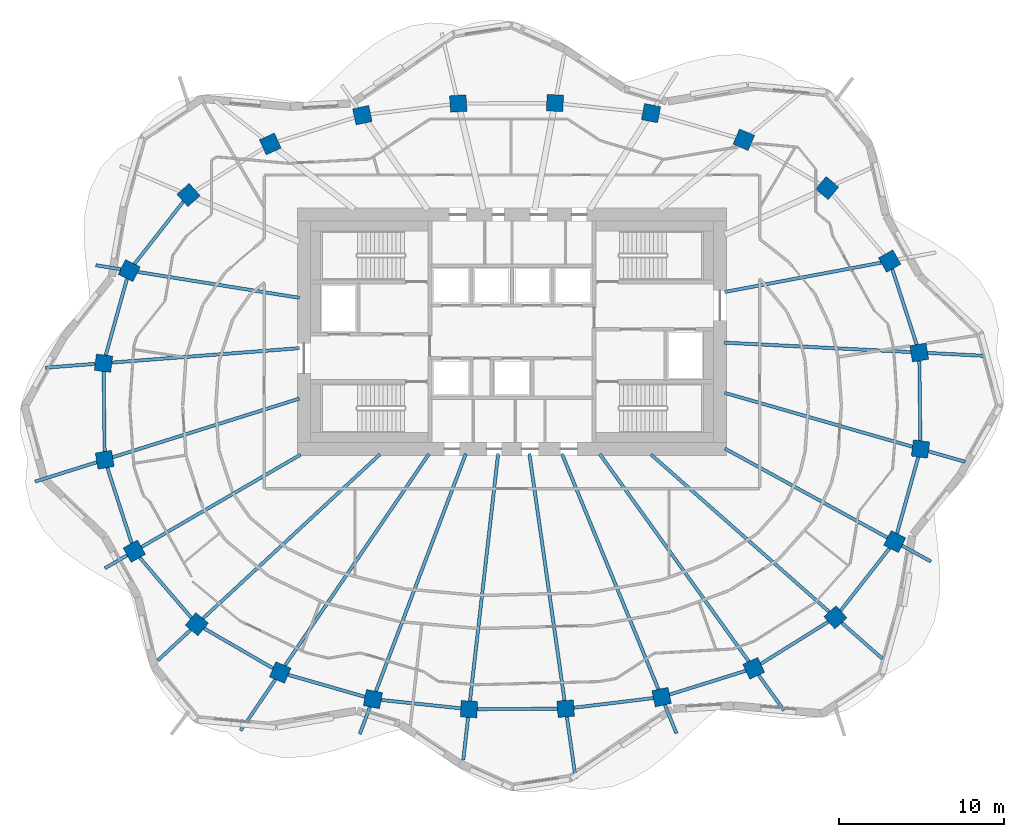
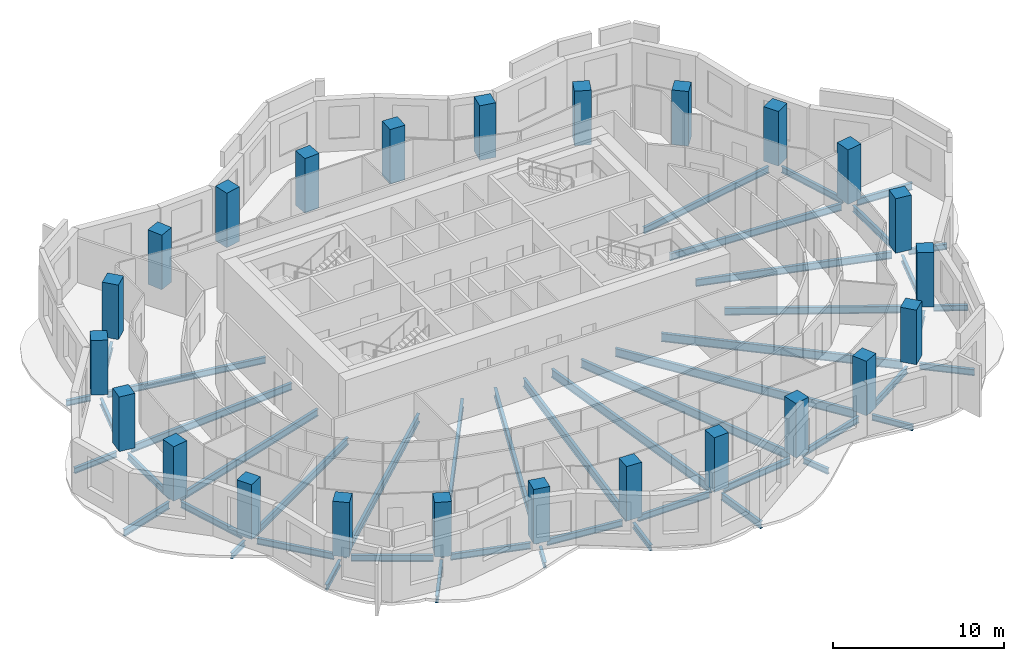
# One storey, part 1 of 10: 47 beams, 24 columns.
"""IFC4 building model written with IfcOpenShell, lengths in metres."""

from ifc_helpers import new_model, si_unit, direction, frame, origin, origin_2d, place, context, subcontext, project, spatial, rectangle, i_section, extrude, material, material_profile, profile_set, type_object, element, save


model = new_model("IFC4")

# Units and contexts
model_context = context("Model", 3, precision=1e-05, world=origin(), true_north=direction((0.0, 1.0)))
body_context = subcontext(model_context, "Body", "Model", "MODEL_VIEW")
ifc_project = project(units=[si_unit("LENGTHUNIT", "METRE"), si_unit("AREAUNIT", "SQUARE_METRE"), si_unit("VOLUMEUNIT", "CUBIC_METRE"), si_unit("PLANEANGLEUNIT", "RADIAN"), si_unit("MASSUNIT", "GRAM", prefix="KILO")], contexts=[model_context])

# Site, building, storey
site_placement = place(None, origin())
site = spatial("IfcSite", under=ifc_project, at=site_placement, CompositionType="ELEMENT")
building_placement = place(site_placement, origin())
building = spatial("IfcBuilding", under=site, at=building_placement, Name="Rubra Terraces Tower", CompositionType="ELEMENT")
storey_placement = place(building_placement, frame((0.0, 0.0, 205.199951171875)))
storey = spatial("IfcBuildingStorey", under=building, at=storey_placement, Name="L50", CompositionType="ELEMENT", Elevation=205.199951171875)

# Columns
ifc_material_1 = material(Name="Concrete C50", Category="concrete")
ifc_material_profile_1 = material_profile(ifc_material_1, rectangle(XDim=1.0, YDim=1.0, at=origin_2d()), Name="RC 1000x1000")
ifc_profile_set_1 = profile_set([ifc_material_profile_1], Name="Concrete C50")
column_type = type_object("IfcColumnType", Name="RING COLUMN RC 1000x1000 C50", PredefinedType="COLUMN", material=ifc_profile_set_1)
for number, where, z_axis, x_axis, name in (
    (1, (24.6689453125, 3.248046875, 0.0), (0.0, 0.0, 1.0), (-0.161559167715, 0.986863027642, 0.0), "column-L50-ring-01"),
    (2, (22.87890625, 8.787109375, 0.0), (0.0, 0.0, 1.0), (-0.48852601316, 0.872549330678, 0.0), "column-L50-ring-02"),
    (3, (19.092041015625, 13.208984375, 0.0), (0.0, 0.0, 1.0), (-0.76886986222, 0.63940529789, 0.0), "column-L50-ring-03"),
    (4, (14.0419921875, 16.135986328125, 0.0), (0.0, 0.0, 1.0), (-0.920167856842, 0.391524092789, 0.0), "column-L50-ring-04"),
    (5, (8.422119140625, 17.7490234375, 0.0), (0.0, 0.0, 1.0), (-0.981654668733, 0.19066754143, 0.0), "column-L50-ring-05"),
    (6, (2.60205078125, 18.35791015625, 0.0), (0.0, 0.0, 1.0), (-0.998764256028, 0.049698700995, 0.0), "column-L50-ring-06"),
    (7, (-3.25390625, 18.330078125, 0.0), (0.0, 0.0, 1.0), (-0.998031548759, -0.062713855578, 0.0), "column-L50-ring-07"),
    (8, (-9.06298828125, 17.625, 0.0), (0.0, 0.0, 1.0), (-0.977652674797, -0.210226657352, 0.0), "column-L50-ring-08"),
    (9, (-14.64306640625, 15.881103515625, 0.0), (0.0, 0.0, 1.0), (-0.908778580451, -0.417278673927, 0.0), "column-L50-ring-09"),
    (10, (-19.593017578125, 12.7900390625, 0.0), (0.0, 0.0, 1.0), (-0.744021317198, -0.668155879683, 0.0), "column-L50-ring-10"),
    (11, (-23.18505859375, 8.2099609375, 0.0), (0.0, 0.0, 1.0), (-0.451027931402, -0.892509834733, 0.0), "column-L50-ring-11"),
    (12, (-24.742919921875, 2.59912109375, 0.0), (0.0, 0.0, 1.0), (-0.128443684554, -0.991716804283, 0.0), "column-L50-ring-12"),
    (13, (-24.6689453125, -3.248046875, 0.0), (0.0, 0.0, 1.0), (0.161559167715, -0.986863027642, 0.0), "column-L50-ring-13"),
    (14, (-22.87890625, -8.787109375, 0.0), (0.0, 0.0, 1.0), (0.48852601316, -0.872549330678, 0.0), "column-L50-ring-14"),
    (15, (-19.092041015625, -13.208984375, 0.0), (0.0, 0.0, 1.0), (0.76886986222, -0.63940529789, 0.0), "column-L50-ring-15"),
    (16, (-14.0419921875, -16.135986328125, 0.0), (0.0, 0.0, 1.0), (0.920167856842, -0.391524092789, 0.0), "column-L50-ring-16"),
    (17, (-8.422119140625, -17.7490234375, 0.0), (0.0, 0.0, 1.0), (0.981654668733, -0.19066754143, 0.0), "column-L50-ring-17"),
    (18, (-2.60205078125, -18.35791015625, 0.0), (0.0, 0.0, 1.0), (0.998764256028, -0.049698700995, 0.0), "column-L50-ring-18"),
    (19, (3.25390625, -18.330078125, 0.0), (0.0, 0.0, 1.0), (0.998031548759, 0.062713855578, 0.0), "column-L50-ring-19"),
    (20, (9.06298828125, -17.625, 0.0), (0.0, 0.0, 1.0), (0.977652674797, 0.210226657352, 0.0), "column-L50-ring-20"),
    (21, (14.64306640625, -15.881103515625, 0.0), (0.0, 0.0, 1.0), (0.908778580451, 0.417278673927, 0.0), "column-L50-ring-21"),
    (22, (19.593017578125, -12.7900390625, 0.0), (0.0, 0.0, 1.0), (0.744021317198, 0.668155879683, 0.0), "column-L50-ring-22"),
    (23, (23.18505859375, -8.2099609375, 0.0), (0.0, 0.0, 1.0), (0.451027931402, 0.892509834733, 0.0), "column-L50-ring-23"),
    (24, (24.742919921875, -2.59912109375, 0.0), (0.0, 0.0, 1.0), (0.128443684554, 0.991716804283, 0.0), "column-L50-ring-24"),
):
    element("IfcColumn", number, at=place(storey_placement, frame(where, z_axis=z_axis, x_axis=x_axis)), inside=storey, type_object=column_type, Name=name, PredefinedType="COLUMN", context=body_context, shape_type="SweptSolid", body=[
        extrude(rectangle(XDim=1.0, YDim=1.0, at=origin_2d()), origin(), (0.0, 0.0, 1.0), 3.900146484375),
    ])

# Beams
ifc_material_2 = material(Name="Steel Q355B", Category="steel")
ifc_material_profile_2 = material_profile(ifc_material_2, i_section(OverallWidth=0.199951171875, OverallDepth=0.39990234375, WebThickness=0.008056640625, FlangeThickness=0.012939453125, at=origin_2d()), Name="HN 400x200x8x13")
ifc_profile_set_2 = profile_set([ifc_material_profile_2], Name="Steel Q355B")
beam_type_1 = type_object("IfcBeamType", Name="CANTILEVER BEAM HN 400x200x8x13", PredefinedType="BEAM", material=ifc_profile_set_2)
beam_1_placement = place(storey_placement, frame((-23.702880859375, 8.29296875, -0.39990234375), z_axis=(-0.987457595878, 0.15788443984, 0.0), x_axis=(-0.15788443984, -0.987457595878, 0.0)))
element("IfcBeam", 25, at=beam_1_placement, inside=storey, type_object=beam_type_1, Name="beam-L50-cant-11", PredefinedType="BEAM", context=body_context, shape_type="SweptSolid", body=[
    extrude(i_section(OverallWidth=0.199951171875, OverallDepth=0.39990234375, WebThickness=0.008056640625, FlangeThickness=0.012939453125, at=origin_2d()), origin(), (0.0, 0.0, 1.0), 1.526123046875),
])
beam_2_placement = place(storey_placement, frame((-25.251953125, 2.56005859375, -0.39990234375), z_axis=(-0.997072601127, -0.076460630923, 0.0), x_axis=(0.076460630923, -0.997072601127, 0.0)))
element("IfcBeam", 26, at=beam_2_placement, inside=storey, type_object=beam_type_1, Name="beam-L50-cant-12", PredefinedType="BEAM", context=body_context, shape_type="SweptSolid", body=[
    extrude(i_section(OverallWidth=0.199951171875, OverallDepth=0.39990234375, WebThickness=0.008056640625, FlangeThickness=0.012939453125, at=origin_2d()), origin(), (0.0, 0.0, 1.0), 3.0078125),
])
beam_3_placement = place(storey_placement, frame((-23.31103515625, -9.0380859375, -0.39990234375), z_axis=(-0.864659295888, -0.502358738387, 0.0), x_axis=(0.502358738387, -0.864659295888, 0.0)))
element("IfcBeam", 27, at=beam_3_placement, inside=storey, type_object=beam_type_1, Name="beam-L50-cant-14", PredefinedType="BEAM", context=body_context, shape_type="SweptSolid", body=[
    extrude(i_section(OverallWidth=0.199951171875, OverallDepth=0.39990234375, WebThickness=0.008056640625, FlangeThickness=0.012939453125, at=origin_2d()), origin(), (0.0, 0.0, 1.0), 1.556640625),
])
beam_4_placement = place(storey_placement, frame((-19.4619140625, -13.552001953125, -0.39990234375), z_axis=(-0.733087511933, -0.680134324856, 0.0), x_axis=(0.680134324856, -0.733087511933, 0.0)))
element("IfcBeam", 28, at=beam_4_placement, inside=storey, type_object=beam_type_1, Name="beam-L50-cant-15", PredefinedType="BEAM", context=body_context, shape_type="SweptSolid", body=[
    extrude(i_section(OverallWidth=0.199951171875, OverallDepth=0.39990234375, WebThickness=0.008056640625, FlangeThickness=0.012939453125, at=origin_2d()), origin(), (0.0, 0.0, 1.0), 2.72021484375),
])
beam_5_placement = place(storey_placement, frame((-8.60205078125, -18.222900390625, -0.39990234375), z_axis=(-0.353652069822, -0.935377043502, 0.0), x_axis=(0.935377043502, -0.353652069822, 0.0)))
element("IfcBeam", 29, at=beam_5_placement, inside=storey, type_object=beam_type_1, Name="beam-L50-cant-17", PredefinedType="BEAM", context=body_context, shape_type="SweptSolid", body=[
    extrude(i_section(OverallWidth=0.199951171875, OverallDepth=0.39990234375, WebThickness=0.008056640625, FlangeThickness=0.012939453125, at=origin_2d()), origin(), (0.0, 0.0, 1.0), 1.755615234375),
])
beam_6_placement = place(storey_placement, frame((-2.658935546875, -18.85595703125, -0.39990234375), z_axis=(-0.112928755401, -0.993603087859, 0.0), x_axis=(0.993603087859, -0.112928755401, 0.0)))
element("IfcBeam", 30, at=beam_6_placement, inside=storey, type_object=beam_type_1, Name="beam-L50-cant-18", PredefinedType="BEAM", context=body_context, shape_type="SweptSolid", body=[
    extrude(i_section(OverallWidth=0.199951171875, OverallDepth=0.39990234375, WebThickness=0.008056640625, FlangeThickness=0.012939453125, at=origin_2d()), origin(), (0.0, 0.0, 1.0), 2.585693359375),
])
beam_7_placement = place(storey_placement, frame((9.256103515625, -18.094970703125, -0.39990234375), z_axis=(0.37867364733, -0.925530263588, 0.0), x_axis=(0.925530263588, 0.37867364733, 0.0)))
element("IfcBeam", 31, at=beam_7_placement, inside=storey, type_object=beam_type_1, Name="beam-L50-cant-20", PredefinedType="BEAM", context=body_context, shape_type="SweptSolid", body=[
    extrude(i_section(OverallWidth=0.199951171875, OverallDepth=0.39990234375, WebThickness=0.008056640625, FlangeThickness=0.012939453125, at=origin_2d()), origin(), (0.0, 0.0, 1.0), 1.864013671875),
])
beam_8_placement = place(storey_placement, frame((14.93994140625, -16.294921875, -0.39990234375), z_axis=(0.583494905514, -0.812116799013, 0.0), x_axis=(0.812116799013, 0.583494905514, 0.0)))
element("IfcBeam", 32, at=beam_8_placement, inside=storey, type_object=beam_type_1, Name="beam-L50-cant-21", PredefinedType="BEAM", context=body_context, shape_type="SweptSolid", body=[
    extrude(i_section(OverallWidth=0.199951171875, OverallDepth=0.39990234375, WebThickness=0.008056640625, FlangeThickness=0.012939453125, at=origin_2d()), origin(), (0.0, 0.0, 1.0), 2.6376953125),
])
beam_9_placement = place(storey_placement, frame((23.6240234375, -8.449951171875, -0.39990234375), z_axis=(0.876885480476, -0.480699338601, 0.0), x_axis=(0.480699338601, 0.876885480476, 0.0)))
element("IfcBeam", 33, at=beam_9_placement, inside=storey, type_object=beam_type_1, Name="beam-L50-cant-23", PredefinedType="BEAM", context=body_context, shape_type="SweptSolid", body=[
    extrude(i_section(OverallWidth=0.199951171875, OverallDepth=0.39990234375, WebThickness=0.008056640625, FlangeThickness=0.012939453125, at=origin_2d()), origin(), (0.0, 0.0, 1.0), 1.9990234375),
])
beam_10_placement = place(storey_placement, frame((25.22900390625, -2.738037109375, -0.39990234375), z_axis=(0.961119526587, -0.276132677554, 0.0), x_axis=(0.276132677554, 0.961119526587, 0.0)))
element("IfcBeam", 34, at=beam_10_placement, inside=storey, type_object=beam_type_1, Name="beam-L50-cant-24", PredefinedType="BEAM", context=body_context, shape_type="SweptSolid", body=[
    extrude(i_section(OverallWidth=0.199951171875, OverallDepth=0.39990234375, WebThickness=0.008056640625, FlangeThickness=0.012939453125, at=origin_2d()), origin(), (0.0, 0.0, 1.0), 2.306640625),
])
ifc_material_profile_3 = material_profile(ifc_material_2, i_section(OverallWidth=0.198974609375, OverallDepth=0.446044921875, WebThickness=0.008056640625, FlangeThickness=0.011962890625, at=origin_2d()), Name="HN 446x199x8x12")
ifc_profile_set_3 = profile_set([ifc_material_profile_3], Name="Steel Q355B")
beam_type_2 = type_object("IfcBeamType", Name="CANTILEVER BEAM HN 446x199x8x12", PredefinedType="BEAM", material=ifc_profile_set_3)
beam_11_placement = place(storey_placement, frame((19.969970703125, -13.123046875, -0.4228515625), z_axis=(0.749902745466, -0.661548087702, 0.0), x_axis=(0.661548087702, 0.749902745466, 0.0)))
element("IfcBeam", 35, at=beam_11_placement, inside=storey, type_object=beam_type_2, Name="beam-L50-cant-22", PredefinedType="BEAM", context=body_context, shape_type="SweptSolid", body=[
    extrude(i_section(OverallWidth=0.198974609375, OverallDepth=0.446044921875, WebThickness=0.008056640625, FlangeThickness=0.011962890625, at=origin_2d()), origin(), (0.0, 0.0, 1.0), 3.293701171875),
])
ifc_material_profile_4 = material_profile(ifc_material_2, i_section(OverallWidth=0.198974609375, OverallDepth=0.49609375, WebThickness=0.009033203125, FlangeThickness=0.013916015625, at=origin_2d()), Name="HN 496x199x9x14")
ifc_profile_set_4 = profile_set([ifc_material_profile_4], Name="Steel Q355B")
beam_type_3 = type_object("IfcBeamType", Name="CANTILEVER BEAM HN 496x199x9x14", PredefinedType="BEAM", material=ifc_profile_set_4)
beam_12_placement = place(storey_placement, frame((25.179931640625, 3.221923828125, -0.447998046875), z_axis=(0.998713760082, -0.050703307804, 0.0), x_axis=(0.050703307804, 0.998713760082, 0.0)))
element("IfcBeam", 36, at=beam_12_placement, inside=storey, type_object=beam_type_3, Name="beam-L50-cant-01", PredefinedType="BEAM", context=body_context, shape_type="SweptSolid", body=[
    extrude(i_section(OverallWidth=0.198974609375, OverallDepth=0.49609375, WebThickness=0.009033203125, FlangeThickness=0.013916015625, at=origin_2d()), origin(), (0.0, 0.0, 1.0), 3.625732421875),
])
beam_13_placement = place(storey_placement, frame((-25.15087890625, -3.39892578125, -0.447998046875), z_axis=(-0.954029392864, -0.299713058693, 0.0), x_axis=(0.299713058693, -0.954029392864, 0.0)))
element("IfcBeam", 37, at=beam_13_placement, inside=storey, type_object=beam_type_3, Name="beam-L50-cant-13", PredefinedType="BEAM", context=body_context, shape_type="SweptSolid", body=[
    extrude(i_section(OverallWidth=0.198974609375, OverallDepth=0.49609375, WebThickness=0.009033203125, FlangeThickness=0.013916015625, at=origin_2d()), origin(), (0.0, 0.0, 1.0), 3.9140625),
])
beam_14_placement = place(storey_placement, frame((-14.3291015625, -16.556884765625, -0.447998046875), z_axis=(-0.562402665117, -0.826863496757, 0.0), x_axis=(0.826863496757, -0.562402665117, 0.0)))
element("IfcBeam", 38, at=beam_14_placement, inside=storey, type_object=beam_type_3, Name="beam-L50-cant-16", PredefinedType="BEAM", context=body_context, shape_type="SweptSolid", body=[
    extrude(i_section(OverallWidth=0.198974609375, OverallDepth=0.49609375, WebThickness=0.009033203125, FlangeThickness=0.013916015625, at=origin_2d()), origin(), (0.0, 0.0, 1.0), 3.748046875),
])
beam_15_placement = place(storey_placement, frame((3.324951171875, -18.826904296875, -0.447998046875), z_axis=(0.140976698225, -0.990012914339, 0.0), x_axis=(0.990012914339, 0.140976698225, 0.0)))
element("IfcBeam", 39, at=beam_15_placement, inside=storey, type_object=beam_type_3, Name="beam-L50-cant-19", PredefinedType="BEAM", context=body_context, shape_type="SweptSolid", body=[
    extrude(i_section(OverallWidth=0.198974609375, OverallDepth=0.49609375, WebThickness=0.009033203125, FlangeThickness=0.013916015625, at=origin_2d()), origin(), (0.0, 0.0, 1.0), 3.7666015625),
])
ifc_material_profile_5 = material_profile(ifc_material_2, i_section(OverallWidth=0.198974609375, OverallDepth=0.446044921875, WebThickness=0.008056640625, FlangeThickness=0.011962890625, at=origin_2d()), Name="HN 446x199x8x12")
ifc_profile_set_5 = profile_set([ifc_material_profile_5], Name="Steel Q355B")
beam_type_4 = type_object("IfcBeamType", Name="FLOOR BEAM HN 446x199x8x12", PredefinedType="BEAM", material=ifc_profile_set_5)
beam_16_placement = place(storey_placement, frame((22.360107421875, 8.68994140625, -0.4228515625), z_axis=(-0.982895681695, -0.18416318553, 0.0), x_axis=(0.18416318553, -0.982895681695, 0.0)))
element("IfcBeam", 40, at=beam_16_placement, inside=storey, type_object=beam_type_4, Name="beam-L50-floor-02", PredefinedType="BEAM", context=body_context, shape_type="SweptSolid", body=[
    extrude(i_section(OverallWidth=0.198974609375, OverallDepth=0.446044921875, WebThickness=0.008056640625, FlangeThickness=0.011962890625, at=origin_2d()), origin(), (0.0, 0.0, 1.0), 9.64306640625),
])
beam_17_placement = place(storey_placement, frame((-22.6669921875, 8.126953125, -0.4228515625), z_axis=(0.987435404133, -0.158023171289, 0.0), x_axis=(0.158023171289, 0.987435404133, 0.0)))
element("IfcBeam", 41, at=beam_17_placement, inside=storey, type_object=beam_type_4, Name="beam-L50-floor-11", PredefinedType="BEAM", context=body_context, shape_type="SweptSolid", body=[
    extrude(i_section(OverallWidth=0.198974609375, OverallDepth=0.446044921875, WebThickness=0.008056640625, FlangeThickness=0.011962890625, at=origin_2d()), origin(), (0.0, 0.0, 1.0), 9.909423828125),
])
ifc_material_profile_6 = material_profile(ifc_material_2, i_section(OverallWidth=0.198974609375, OverallDepth=0.49609375, WebThickness=0.009033203125, FlangeThickness=0.013916015625, at=origin_2d()), Name="HN 496x199x9x14")
ifc_profile_set_6 = profile_set([ifc_material_profile_6], Name="Steel Q355B")
beam_type_5 = type_object("IfcBeamType", Name="FLOOR BEAM HN 496x199x9x14", PredefinedType="BEAM", material=ifc_profile_set_6)
beam_18_placement = place(storey_placement, frame((24.157958984375, 3.27392578125, -0.447998046875), z_axis=(-0.998716228561, 0.050654662269, 0.0), x_axis=(-0.050654662269, -0.998716228561, 0.0)))
element("IfcBeam", 42, at=beam_18_placement, inside=storey, type_object=beam_type_5, Name="beam-L50-floor-01", PredefinedType="BEAM", context=body_context, shape_type="SweptSolid", body=[
    extrude(i_section(OverallWidth=0.198974609375, OverallDepth=0.49609375, WebThickness=0.009033203125, FlangeThickness=0.013916015625, at=origin_2d()), origin(), (0.0, 0.0, 1.0), 11.29248046875),
])
beam_19_placement = place(storey_placement, frame((-24.23388671875, 2.637939453125, -0.447998046875), z_axis=(0.997063306908, 0.076581734234, 0.0), x_axis=(-0.076581734234, 0.997063306908, 0.0)))
element("IfcBeam", 43, at=beam_19_placement, inside=storey, type_object=beam_type_5, Name="beam-L50-floor-12", PredefinedType="BEAM", context=body_context, shape_type="SweptSolid", body=[
    extrude(i_section(OverallWidth=0.198974609375, OverallDepth=0.49609375, WebThickness=0.009033203125, FlangeThickness=0.013916015625, at=origin_2d()), origin(), (0.0, 0.0, 1.0), 11.387451171875),
])
beam_20_placement = place(storey_placement, frame((-24.18701171875, -3.096923828125, -0.447998046875), z_axis=(0.954040699023, 0.299677067204, 0.0), x_axis=(-0.299677067204, 0.954040699023, 0.0)))
element("IfcBeam", 44, at=beam_20_placement, inside=storey, type_object=beam_type_5, Name="beam-L50-floor-13", PredefinedType="BEAM", context=body_context, shape_type="SweptSolid", body=[
    extrude(i_section(OverallWidth=0.198974609375, OverallDepth=0.49609375, WebThickness=0.009033203125, FlangeThickness=0.013916015625, at=origin_2d()), origin(), (0.0, 0.0, 1.0), 11.845458984375),
])
beam_21_placement = place(storey_placement, frame((-22.447021484375, -8.535888671875, -0.447998046875), z_axis=(0.864755491844, 0.502193129508, 0.0), x_axis=(-0.502193129508, 0.864755491844, 0.0)))
element("IfcBeam", 45, at=beam_21_placement, inside=storey, type_object=beam_type_5, Name="beam-L50-floor-14", PredefinedType="BEAM", context=body_context, shape_type="SweptSolid", body=[
    extrude(i_section(OverallWidth=0.198974609375, OverallDepth=0.49609375, WebThickness=0.009033203125, FlangeThickness=0.013916015625, at=origin_2d()), origin(), (0.0, 0.0, 1.0), 11.14306640625),
])
beam_22_placement = place(storey_placement, frame((22.74609375, -7.969970703125, -0.447998046875), z_axis=(-0.876862055903, 0.480742066932, 0.0), x_axis=(-0.480742066932, -0.876862055903, 0.0)))
element("IfcBeam", 46, at=beam_22_placement, inside=storey, type_object=beam_type_5, Name="beam-L50-floor-23", PredefinedType="BEAM", context=body_context, shape_type="SweptSolid", body=[
    extrude(i_section(OverallWidth=0.198974609375, OverallDepth=0.49609375, WebThickness=0.009033203125, FlangeThickness=0.013916015625, at=origin_2d()), origin(), (0.0, 0.0, 1.0), 11.234375),
])
beam_23_placement = place(storey_placement, frame((24.257080078125, -2.4599609375, -0.447998046875), z_axis=(-0.961215754667, 0.275797521707, 0.0), x_axis=(-0.275797521707, -0.961215754667, 0.0)))
element("IfcBeam", 47, at=beam_23_placement, inside=storey, type_object=beam_type_5, Name="beam-L50-floor-24", PredefinedType="BEAM", context=body_context, shape_type="SweptSolid", body=[
    extrude(i_section(OverallWidth=0.198974609375, OverallDepth=0.49609375, WebThickness=0.009033203125, FlangeThickness=0.013916015625, at=origin_2d()), origin(), (0.0, 0.0, 1.0), 11.830810546875),
])
ifc_material_profile_7 = material_profile(ifc_material_2, i_section(OverallWidth=0.198974609375, OverallDepth=0.595947265625, WebThickness=0.010009765625, FlangeThickness=0.014892578125, at=origin_2d()), Name="HN 596x199x10x15")
ifc_profile_set_7 = profile_set([ifc_material_profile_7], Name="Steel Q355B")
beam_type_6 = type_object("IfcBeamType", Name="FLOOR BEAM HN 596x199x10x15", PredefinedType="BEAM", material=ifc_profile_set_7)
beam_24_placement = place(storey_placement, frame((-18.721923828125, -12.865966796875, -0.498046875), z_axis=(0.733130458484, 0.680088031687, 0.0), x_axis=(-0.680088031687, 0.733130458484, 0.0)))
element("IfcBeam", 48, at=beam_24_placement, inside=storey, type_object=beam_type_6, Name="beam-L50-floor-15", PredefinedType="BEAM", context=body_context, shape_type="SweptSolid", body=[
    extrude(i_section(OverallWidth=0.198974609375, OverallDepth=0.595947265625, WebThickness=0.010009765625, FlangeThickness=0.014892578125, at=origin_2d()), origin(), (0.0, 0.0, 1.0), 14.62744140625),
])
beam_25_placement = place(storey_placement, frame((-13.7548828125, -15.715087890625, -0.498046875), z_axis=(0.562545242124, 0.826766503049, 0.0), x_axis=(-0.826766503049, 0.562545242124, 0.0)))
element("IfcBeam", 49, at=beam_25_placement, inside=storey, type_object=beam_type_6, Name="beam-L50-floor-16", PredefinedType="BEAM", context=body_context, shape_type="SweptSolid", body=[
    extrude(i_section(OverallWidth=0.198974609375, OverallDepth=0.595947265625, WebThickness=0.010009765625, FlangeThickness=0.014892578125, at=origin_2d()), origin(), (0.0, 0.0, 1.0), 15.499267578125),
])
beam_26_placement = place(storey_placement, frame((-8.241943359375, -17.27490234375, -0.498046875), z_axis=(0.353955134415, 0.93526240319, 0.0), x_axis=(-0.93526240319, 0.353955134415, 0.0)))
element("IfcBeam", 50, at=beam_26_placement, inside=storey, type_object=beam_type_6, Name="beam-L50-floor-17", PredefinedType="BEAM", context=body_context, shape_type="SweptSolid", body=[
    extrude(i_section(OverallWidth=0.198974609375, OverallDepth=0.595947265625, WebThickness=0.010009765625, FlangeThickness=0.014892578125, at=origin_2d()), origin(), (0.0, 0.0, 1.0), 15.3828125),
])
beam_27_placement = place(storey_placement, frame((-2.544921875, -17.860107421875, -0.498046875), z_axis=(0.113084825914, 0.993585337124, 0.0), x_axis=(-0.993585337124, 0.113084825914, 0.0)))
element("IfcBeam", 51, at=beam_27_placement, inside=storey, type_object=beam_type_6, Name="beam-L50-floor-18", PredefinedType="BEAM", context=body_context, shape_type="SweptSolid", body=[
    extrude(i_section(OverallWidth=0.198974609375, OverallDepth=0.595947265625, WebThickness=0.010009765625, FlangeThickness=0.014892578125, at=origin_2d()), origin(), (0.0, 0.0, 1.0), 15.07568359375),
])
beam_28_placement = place(storey_placement, frame((3.18310546875, -17.8330078125, -0.498046875), z_axis=(-0.141104514479, 0.989994705033, 0.0), x_axis=(-0.989994705033, -0.141104514479, 0.0)))
element("IfcBeam", 52, at=beam_28_placement, inside=storey, type_object=beam_type_6, Name="beam-L50-floor-19", PredefinedType="BEAM", context=body_context, shape_type="SweptSolid", body=[
    extrude(i_section(OverallWidth=0.198974609375, OverallDepth=0.595947265625, WebThickness=0.010009765625, FlangeThickness=0.014892578125, at=origin_2d()), origin(), (0.0, 0.0, 1.0), 15.10302734375),
])
beam_29_placement = place(storey_placement, frame((8.8701171875, -17.155029296875, -0.498046875), z_axis=(-0.379015131933, 0.925390474214, 0.0), x_axis=(-0.925390474214, -0.379015131933, 0.0)))
element("IfcBeam", 53, at=beam_29_placement, inside=storey, type_object=beam_type_6, Name="beam-L50-floor-20", PredefinedType="BEAM", context=body_context, shape_type="SweptSolid", body=[
    extrude(i_section(OverallWidth=0.198974609375, OverallDepth=0.595947265625, WebThickness=0.010009765625, FlangeThickness=0.014892578125, at=origin_2d()), origin(), (0.0, 0.0, 1.0), 15.416259765625),
])
beam_30_placement = place(storey_placement, frame((14.345947265625, -15.467041015625, -0.498046875), z_axis=(-0.583528740197, 0.812092488183, 0.0), x_axis=(-0.812092488183, -0.583528740197, 0.0)))
element("IfcBeam", 54, at=beam_30_placement, inside=storey, type_object=beam_type_6, Name="beam-L50-floor-21", PredefinedType="BEAM", context=body_context, shape_type="SweptSolid", body=[
    extrude(i_section(OverallWidth=0.198974609375, OverallDepth=0.595947265625, WebThickness=0.010009765625, FlangeThickness=0.014892578125, at=origin_2d()), origin(), (0.0, 0.0, 1.0), 15.47119140625),
])
beam_31_placement = place(storey_placement, frame((19.216064453125, -12.45703125, -0.498046875), z_axis=(-0.749823025288, 0.661638444128, 0.0), x_axis=(-0.661638444128, -0.749823025288, 0.0)))
element("IfcBeam", 55, at=beam_31_placement, inside=storey, type_object=beam_type_6, Name="beam-L50-floor-22", PredefinedType="BEAM", context=body_context, shape_type="SweptSolid", body=[
    extrude(i_section(OverallWidth=0.198974609375, OverallDepth=0.595947265625, WebThickness=0.010009765625, FlangeThickness=0.014892578125, at=origin_2d()), origin(), (0.0, 0.0, 1.0), 14.412841796875),
])
ifc_material_profile_8 = material_profile(ifc_material_2, i_section(OverallWidth=0.198974609375, OverallDepth=0.446044921875, WebThickness=0.008056640625, FlangeThickness=0.011962890625, at=origin_2d()), Name="HN 446x199x8x12")
ifc_profile_set_8 = profile_set([ifc_material_profile_8], Name="Steel Q355B")
beam_type_7 = type_object("IfcBeamType", Name="SPANDREL BEAM HN 446x199x8x12", PredefinedType="SPANDREL", material=ifc_profile_set_8)
beam_32_placement = place(storey_placement, frame((24.512939453125, 3.72900390625, -0.4228515625), z_axis=(-0.307359002872, 0.951593633519, 0.0), x_axis=(-0.951593633519, -0.307359002872, 0.0)))
element("IfcBeam", 56, at=beam_32_placement, inside=storey, type_object=beam_type_7, Name="beam-L50-spandrel-01", PredefinedType="SPANDREL", context=body_context, shape_type="SweptSolid", body=[
    extrude(i_section(OverallWidth=0.198974609375, OverallDepth=0.446044921875, WebThickness=0.008056640625, FlangeThickness=0.011962890625, at=origin_2d()), origin(), (0.0, 0.0, 1.0), 4.8056640625),
])
beam_33_placement = place(storey_placement, frame((-19.906005859375, 12.39111328125, -0.4228515625), z_axis=(-0.617060338015, -0.786915840004, 0.0), x_axis=(0.786915840004, -0.617060338015, 0.0)))
element("IfcBeam", 57, at=beam_33_placement, inside=storey, type_object=beam_type_7, Name="beam-L50-spandrel-10", PredefinedType="SPANDREL", context=body_context, shape_type="SweptSolid", body=[
    extrude(i_section(OverallWidth=0.198974609375, OverallDepth=0.446044921875, WebThickness=0.008056640625, FlangeThickness=0.011962890625, at=origin_2d()), origin(), (0.0, 0.0, 1.0), 4.8037109375),
])
beam_34_placement = place(storey_placement, frame((-23.321044921875, 7.718994140625, -0.4228515625), z_axis=(-0.267625533012, -0.963523001324, 0.0), x_axis=(0.963523001324, -0.267625533012, 0.0)))
element("IfcBeam", 58, at=beam_34_placement, inside=storey, type_object=beam_type_7, Name="beam-L50-spandrel-11", PredefinedType="SPANDREL", context=body_context, shape_type="SweptSolid", body=[
    extrude(i_section(OverallWidth=0.198974609375, OverallDepth=0.446044921875, WebThickness=0.008056640625, FlangeThickness=0.011962890625, at=origin_2d()), origin(), (0.0, 0.0, 1.0), 4.808349609375),
])
beam_35_placement = place(storey_placement, frame((-24.737060546875, 2.093994140625, -0.4228515625), z_axis=(0.012822047643, -0.999917794168, 0.0), x_axis=(0.999917794168, 0.012822047643, 0.0)))
element("IfcBeam", 59, at=beam_35_placement, inside=storey, type_object=beam_type_7, Name="beam-L50-spandrel-12", PredefinedType="SPANDREL", context=body_context, shape_type="SweptSolid", body=[
    extrude(i_section(OverallWidth=0.198974609375, OverallDepth=0.446044921875, WebThickness=0.008056640625, FlangeThickness=0.011962890625, at=origin_2d()), origin(), (0.0, 0.0, 1.0), 4.83642578125),
])
beam_36_placement = place(storey_placement, frame((-24.512939453125, -3.72900390625, -0.4228515625), z_axis=(0.307359002872, -0.951593633519, 0.0), x_axis=(0.951593633519, 0.307359002872, 0.0)))
element("IfcBeam", 60, at=beam_36_placement, inside=storey, type_object=beam_type_7, Name="beam-L50-spandrel-13", PredefinedType="SPANDREL", context=body_context, shape_type="SweptSolid", body=[
    extrude(i_section(OverallWidth=0.198974609375, OverallDepth=0.446044921875, WebThickness=0.008056640625, FlangeThickness=0.011962890625, at=origin_2d()), origin(), (0.0, 0.0, 1.0), 4.8056640625),
])
beam_37_placement = place(storey_placement, frame((-22.547119140625, -9.174072265625, -0.4228515625), z_axis=(0.650372836218, -0.759615148552, 0.0), x_axis=(0.759615148552, 0.650372836218, 0.0)))
element("IfcBeam", 61, at=beam_37_placement, inside=storey, type_object=beam_type_7, Name="beam-L50-spandrel-14", PredefinedType="SPANDREL", context=body_context, shape_type="SweptSolid", body=[
    extrude(i_section(OverallWidth=0.198974609375, OverallDepth=0.446044921875, WebThickness=0.008056640625, FlangeThickness=0.011962890625, at=origin_2d()), origin(), (0.0, 0.0, 1.0), 4.804931640625),
])
beam_38_placement = place(storey_placement, frame((-18.653076171875, -13.462890625, -0.4228515625), z_axis=(0.865153680787, -0.501506838059, 0.0), x_axis=(0.501506838059, 0.865153680787, 0.0)))
element("IfcBeam", 62, at=beam_38_placement, inside=storey, type_object=beam_type_7, Name="beam-L50-spandrel-15", PredefinedType="SPANDREL", context=body_context, shape_type="SweptSolid", body=[
    extrude(i_section(OverallWidth=0.198974609375, OverallDepth=0.446044921875, WebThickness=0.008056640625, FlangeThickness=0.011962890625, at=origin_2d()), origin(), (0.0, 0.0, 1.0), 4.82568359375),
])
beam_39_placement = place(storey_placement, frame((-13.55810546875, -16.27490234375, -0.4228515625), z_axis=(0.961171164323, -0.275952881621, 0.0), x_axis=(0.275952881621, 0.961171164323, 0.0)))
element("IfcBeam", 63, at=beam_39_placement, inside=storey, type_object=beam_type_7, Name="beam-L50-spandrel-16", PredefinedType="SPANDREL", context=body_context, shape_type="SweptSolid", body=[
    extrude(i_section(OverallWidth=0.198974609375, OverallDepth=0.446044921875, WebThickness=0.008056640625, FlangeThickness=0.011962890625, at=origin_2d()), origin(), (0.0, 0.0, 1.0), 4.842041015625),
])
beam_40_placement = place(storey_placement, frame((-7.923095703125, -17.801025390625, -0.4228515625), z_axis=(0.994565426955, -0.104113454971, 0.0), x_axis=(0.104113454971, 0.994565426955, 0.0)))
element("IfcBeam", 64, at=beam_40_placement, inside=storey, type_object=beam_type_7, Name="beam-L50-spandrel-17", PredefinedType="SPANDREL", context=body_context, shape_type="SweptSolid", body=[
    extrude(i_section(OverallWidth=0.198974609375, OverallDepth=0.446044921875, WebThickness=0.008056640625, FlangeThickness=0.011962890625, at=origin_2d()), origin(), (0.0, 0.0, 1.0), 4.849365234375),
])
beam_41_placement = place(storey_placement, frame((-2.10107421875, -18.35595703125, -0.4228515625), z_axis=(0.999987852299, 0.004929021704, 0.0), x_axis=(-0.004929021704, 0.999987852299, 0.0)))
element("IfcBeam", 65, at=beam_41_placement, inside=storey, type_object=beam_type_7, Name="beam-L50-spandrel-18", PredefinedType="SPANDREL", context=body_context, shape_type="SweptSolid", body=[
    extrude(i_section(OverallWidth=0.198974609375, OverallDepth=0.446044921875, WebThickness=0.008056640625, FlangeThickness=0.011962890625, at=origin_2d()), origin(), (0.0, 0.0, 1.0), 4.85400390625),
])
beam_42_placement = place(storey_placement, frame((3.7509765625, -18.27001953125, -0.4228515625), z_axis=(0.992698018573, 0.120626049929, 0.0), x_axis=(-0.120626049929, 0.992698018573, 0.0)))
element("IfcBeam", 66, at=beam_42_placement, inside=storey, type_object=beam_type_7, Name="beam-L50-spandrel-19", PredefinedType="SPANDREL", context=body_context, shape_type="SweptSolid", body=[
    extrude(i_section(OverallWidth=0.198974609375, OverallDepth=0.446044921875, WebThickness=0.008056640625, FlangeThickness=0.011962890625, at=origin_2d()), origin(), (0.0, 0.0, 1.0), 4.849365234375),
])
beam_43_placement = place(storey_placement, frame((9.5419921875, -17.47509765625, -0.4228515625), z_axis=(0.954462027342, 0.298332429282, 0.0), x_axis=(-0.298332429282, 0.954462027342, 0.0)))
element("IfcBeam", 67, at=beam_43_placement, inside=storey, type_object=beam_type_7, Name="beam-L50-spandrel-20", PredefinedType="SPANDREL", context=body_context, shape_type="SweptSolid", body=[
    extrude(i_section(OverallWidth=0.198974609375, OverallDepth=0.446044921875, WebThickness=0.008056640625, FlangeThickness=0.011962890625, at=origin_2d()), origin(), (0.0, 0.0, 1.0), 4.840576171875),
])
beam_44_placement = place(storey_placement, frame((15.071044921875, -15.614013671875, -0.4228515625), z_axis=(0.848183088492, 0.529703170083, 0.0), x_axis=(-0.529703170083, 0.848183088492, 0.0)))
element("IfcBeam", 68, at=beam_44_placement, inside=storey, type_object=beam_type_7, Name="beam-L50-spandrel-21", PredefinedType="SPANDREL", context=body_context, shape_type="SweptSolid", body=[
    extrude(i_section(OverallWidth=0.198974609375, OverallDepth=0.446044921875, WebThickness=0.008056640625, FlangeThickness=0.011962890625, at=origin_2d()), origin(), (0.0, 0.0, 1.0), 4.8232421875),
])
beam_45_placement = place(storey_placement, frame((19.906005859375, -12.39111328125, -0.4228515625), z_axis=(0.617060338015, 0.786915840004, 0.0), x_axis=(-0.786915840004, 0.617060338015, 0.0)))
element("IfcBeam", 69, at=beam_45_placement, inside=storey, type_object=beam_type_7, Name="beam-L50-spandrel-22", PredefinedType="SPANDREL", context=body_context, shape_type="SweptSolid", body=[
    extrude(i_section(OverallWidth=0.198974609375, OverallDepth=0.446044921875, WebThickness=0.008056640625, FlangeThickness=0.011962890625, at=origin_2d()), origin(), (0.0, 0.0, 1.0), 4.8037109375),
])
beam_46_placement = place(storey_placement, frame((23.321044921875, -7.718994140625, -0.4228515625), z_axis=(0.267625533012, 0.963523001324, 0.0), x_axis=(-0.963523001324, 0.267625533012, 0.0)))
element("IfcBeam", 70, at=beam_46_placement, inside=storey, type_object=beam_type_7, Name="beam-L50-spandrel-23", PredefinedType="SPANDREL", context=body_context, shape_type="SweptSolid", body=[
    extrude(i_section(OverallWidth=0.198974609375, OverallDepth=0.446044921875, WebThickness=0.008056640625, FlangeThickness=0.011962890625, at=origin_2d()), origin(), (0.0, 0.0, 1.0), 4.808349609375),
])
beam_47_placement = place(storey_placement, frame((24.737060546875, -2.093994140625, -0.4228515625), z_axis=(-0.012822047643, 0.999917794168, 0.0), x_axis=(-0.999917794168, -0.012822047643, 0.0)))
element("IfcBeam", 71, at=beam_47_placement, inside=storey, type_object=beam_type_7, Name="beam-L50-spandrel-24", PredefinedType="SPANDREL", context=body_context, shape_type="SweptSolid", body=[
    extrude(i_section(OverallWidth=0.198974609375, OverallDepth=0.446044921875, WebThickness=0.008056640625, FlangeThickness=0.011962890625, at=origin_2d()), origin(), (0.0, 0.0, 1.0), 4.83642578125),
])

save(model, "model.ifc")
